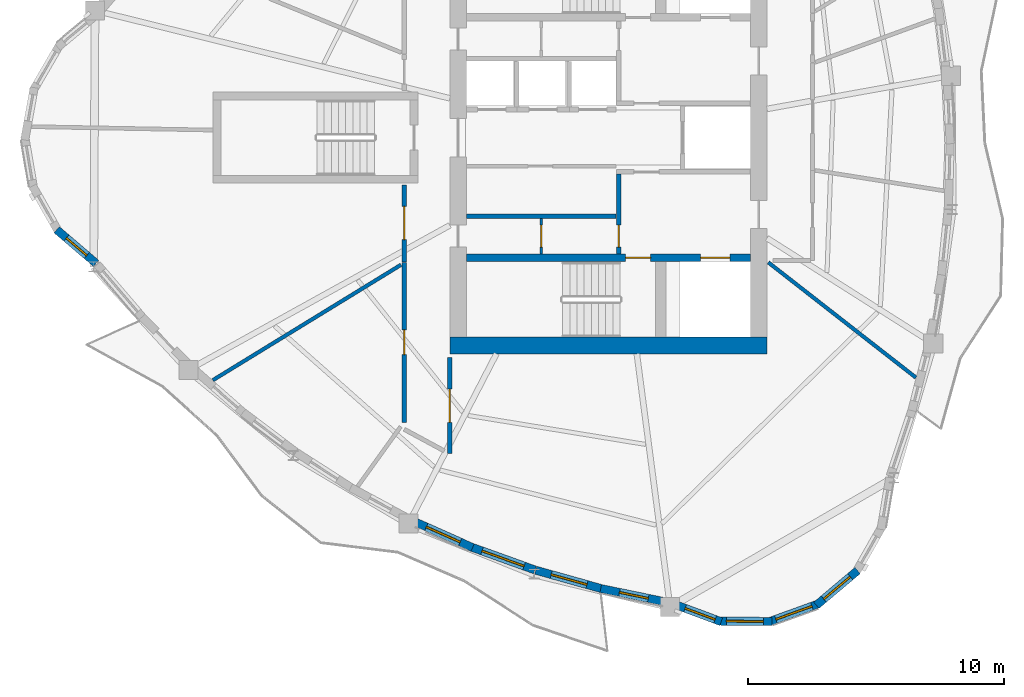
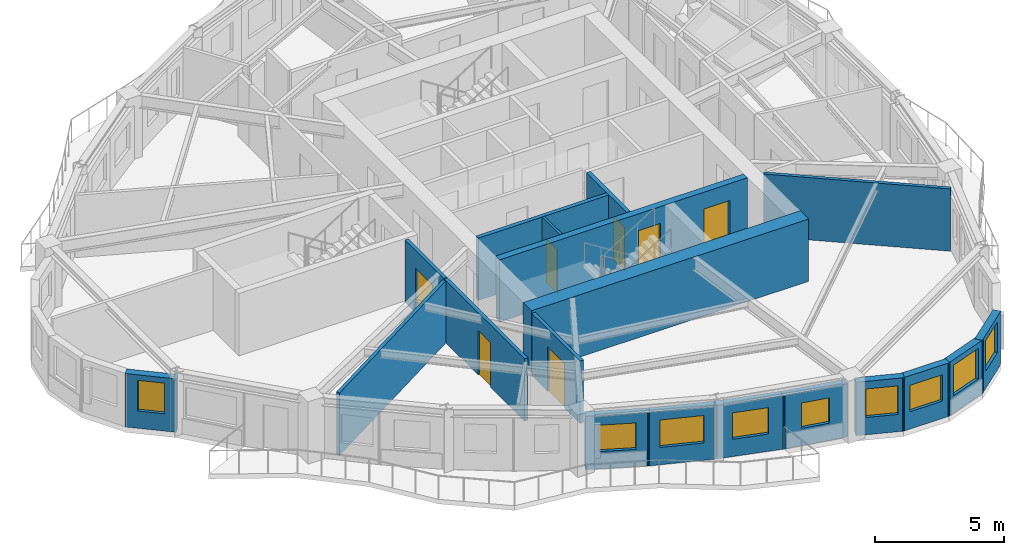
# One storey, part 3 of 12: 19 walls, 9 windows, 7 doors, 16 openings.
"""IFC4 building model written with IfcOpenShell, lengths in metres."""

from ifc_helpers import new_model, si_unit, direction, frame, frame_2d, origin, place, context, subcontext, project, spatial, rectangle, extrude, source, transform, mapped, material, layer, layer_set, type_object, element, fill, save


model = new_model("IFC4")

# Units and contexts
model_context = context("Model", 3, precision=1e-05, world=origin(), true_north=direction((0.0, 1.0)))
body_context = subcontext(model_context, "Body", "Model", "MODEL_VIEW")
ifc_project = project(units=[si_unit("LENGTHUNIT", "METRE"), si_unit("AREAUNIT", "SQUARE_METRE"), si_unit("VOLUMEUNIT", "CUBIC_METRE"), si_unit("PLANEANGLEUNIT", "RADIAN"), si_unit("MASSUNIT", "GRAM", prefix="KILO")], contexts=[model_context])

# Site, building, storey
site_placement = place(None, origin())
site = spatial("IfcSite", under=ifc_project, at=site_placement, CompositionType="ELEMENT")
building_placement = place(site_placement, origin())
building = spatial("IfcBuilding", under=site, at=building_placement, Name="Qafzar Sky-Pleat Residences", CompositionType="ELEMENT")
storey_placement = place(building_placement, frame((0.0, 0.0, 174.60009765625)))
storey = spatial("IfcBuildingStorey", under=building, at=storey_placement, Name="L52", CompositionType="ELEMENT", Elevation=174.60009765625)

# Wall, opening, door
ifc_material_1 = material(Name="Acoustic gypsum plasterboard partition", Category="gypsum")
ifc_layer_1 = layer(ifc_material_1, 0.159912109375)
ifc_layer_set_1 = layer_set([ifc_layer_1], Name="Acoustic gypsum plasterboard partition")
wall_type_1 = type_object("IfcWallType", Name="PART-COR-160", PredefinedType="PARTITIONING", material=ifc_layer_set_1)
wall_1_placement = place(storey_placement, frame((22.3701171875, 14.87109375, 0.0), z_axis=(0.0, 0.0, 1.0), x_axis=(0.0, 1.0, 0.0)))
wall_1 = element("IfcWall", 1, at=wall_1_placement, inside=storey, type_object=wall_type_1, Name="L52 Partition Wall PART-L52-PW-001", PredefinedType="PARTITIONING", context=body_context, shape_type="SweptSolid", body=[
    extrude(rectangle(XDim=6.251953125, YDim=0.159912109375, at=frame_2d((3.1259765625, 0.0))), origin(), (0.0, 0.0, 1.0), 2.949951171875),
])
opening_1_placement = place(wall_1_placement, frame((2.64990234375, 0.0, 0.0)))
opening_1 = element("IfcOpeningElement", 2, at=opening_1_placement, cuts=wall_1, Name="Opening ID-06", PredefinedType="OPENING", context=body_context, shape_type="SweptSolid", body=[
    extrude(rectangle(XDim=0.9599609375, YDim=2.10009765625, at=frame_2d((0.47998046875, 1.050048828125))), frame((0.0, 0.08984375, 0.0), z_axis=(0.0, -1.0, 0.0), x_axis=(1.0, 0.0, 0.0)), (0.0, 0.0, 1.0), 0.179931640625),
])
ifc_material_2 = material(Name="Timber-faced fire door", Category="wood")
door_type_1 = type_object("IfcDoorType", Name="DR-STD-960", OperationType="NOTDEFINED", PredefinedType="DOOR", material=ifc_material_2)
shared_shape_1 = source(origin(), body_context, "Body", "SweptSolid", [
    extrude(rectangle(XDim=0.9599609375, YDim=2.10009765625, at=frame_2d((0.47998046875, 1.050048828125))), frame((0.0, 0.02490234375, 0.0), z_axis=(0.0, -1.0, 0.0), x_axis=(1.0, 0.0, 0.0)), (0.0, 0.0, 1.0), 0.050048828125),
])
door_1_placement = place(opening_1_placement, origin())
door_1 = element("IfcDoor", 3, at=door_1_placement, inside=storey, type_object=door_type_1, Name="L52 Reading Library Door", OperationType="SINGLE_SWING_LEFT", OverallHeight=2.10009765625, OverallWidth=0.9599609375, PredefinedType="DOOR", context=body_context, shape_type="MappedRepresentation", body=[
    mapped(shared_shape_1, transform((0.0, 0.0, 0.0), x_axis=(1.0, 0.0, 0.0), y_axis=(0.0, 1.0, 0.0), z_axis=(0.0, 0.0, 1.0), scale=1.0)),
])
fill(opening_1, door_1)

wall_2_placement = place(storey_placement, frame((24.14990234375, 17.39892578125, 0.0), z_axis=(0.0, 0.0, 1.0), x_axis=(0.0, -1.0, 0.0)))
wall_2 = element("IfcWall", 4, at=wall_2_placement, inside=storey, type_object=wall_type_1, Name="L52 Partition Wall PART-L52-PW-006", PredefinedType="PARTITIONING", context=body_context, shape_type="SweptSolid", body=[
    extrude(rectangle(XDim=3.741943359375, YDim=0.159912109375, at=frame_2d((1.87109375, 0.0))), origin(), (0.0, 0.0, 1.0), 2.949951171875),
])
opening_2_placement = place(wall_2_placement, frame((1.23388671875, 0.0, 0.0)))
opening_2 = element("IfcOpeningElement", 5, at=opening_2_placement, cuts=wall_2, Name="Opening ID-05", PredefinedType="OPENING", context=body_context, shape_type="SweptSolid", body=[
    extrude(rectangle(XDim=1.300048828125, YDim=2.10009765625, at=frame_2d((0.64990234375, 1.050048828125))), frame((0.0, 0.08984375, 0.0), z_axis=(0.0, -1.0, 0.0), x_axis=(1.0, 0.0, 0.0)), (0.0, 0.0, 1.0), 0.179931640625),
])
door_type_2 = type_object("IfcDoorType", Name="DR-LNG-1300", OperationType="DOUBLE_DOOR_SINGLE_SWING", PredefinedType="DOOR", material=ifc_material_2)
shared_shape_2 = source(origin(), body_context, "Body", "SweptSolid", [
    extrude(rectangle(XDim=1.300048828125, YDim=2.10009765625, at=frame_2d((0.64990234375, 1.050048828125))), frame((0.0, 0.02490234375, 0.0), z_axis=(0.0, -1.0, 0.0), x_axis=(1.0, 0.0, 0.0)), (0.0, 0.0, 1.0), 0.050048828125),
])
door_2_placement = place(opening_2_placement, origin())
door_2 = element("IfcDoor", 6, at=door_2_placement, inside=storey, type_object=door_type_2, Name="L52 Academic Seminar Room Door", OperationType="DOUBLE_DOOR_SINGLE_SWING", OverallHeight=2.10009765625, OverallWidth=1.300048828125, PredefinedType="DOOR", context=body_context, shape_type="MappedRepresentation", body=[
    mapped(shared_shape_2, transform((0.0, 0.0, 0.0), x_axis=(1.0, 0.0, 0.0), y_axis=(0.0, 1.0, 0.0), z_axis=(0.0, 0.0, 1.0), scale=1.0)),
])
fill(opening_2, door_2)

wall_3_placement = place(storey_placement, frame((22.3701171875, 21.137939453125, 0.0), z_axis=(0.0, 0.0, 1.0), x_axis=(0.0, 1.0, 0.0)))
wall_3 = element("IfcWall", 7, at=wall_3_placement, inside=storey, type_object=wall_type_1, Name="L52 Partition Wall PART-L52-PW-009", PredefinedType="PARTITIONING", context=body_context, shape_type="SweptSolid", body=[
    extrude(rectangle(XDim=3.011962890625, YDim=0.159912109375, at=frame_2d((1.505859375, 0.0))), origin(), (0.0, 0.0, 1.0), 2.949951171875),
])
opening_3_placement = place(wall_3_placement, frame((0.87744140625, 0.0, 0.0)))
opening_3 = element("IfcOpeningElement", 8, at=opening_3_placement, cuts=wall_3, Name="Opening ID-05", PredefinedType="OPENING", context=body_context, shape_type="SweptSolid", body=[
    extrude(rectangle(XDim=1.300048828125, YDim=2.10009765625, at=frame_2d((0.64990234375, 1.050048828125))), frame((0.0, 0.08984375, 0.0), z_axis=(0.0, -1.0, 0.0), x_axis=(1.0, 0.0, 0.0)), (0.0, 0.0, 1.0), 0.179931640625),
])
door_3_placement = place(opening_3_placement, origin())
door_3 = element("IfcDoor", 9, at=door_3_placement, inside=storey, type_object=door_type_2, Name="L52 Tutorial Huddle Room Door", OperationType="DOUBLE_DOOR_SINGLE_SWING", OverallHeight=2.10009765625, OverallWidth=1.300048828125, PredefinedType="DOOR", context=body_context, shape_type="MappedRepresentation", body=[
    mapped(shared_shape_2, transform((0.0, 0.0, 0.0), x_axis=(1.0, 0.0, 0.0), y_axis=(0.0, 1.0, 0.0), z_axis=(0.0, 0.0, 1.0), scale=1.0)),
])
fill(opening_3, door_3)

ifc_material_3 = material(Name="Concrete blockwork partition", Category="masonry")
ifc_layer_2 = layer(ifc_material_3, 0.179931640625)
ifc_layer_set_2 = layer_set([ifc_layer_2], Name="Concrete blockwork partition")
wall_type_2 = type_object("IfcWallType", Name="PART-SHAFT-180", PredefinedType="PARTITIONING", material=ifc_layer_set_2)
wall_4_placement = place(storey_placement, frame((30.75, 21.4599609375, 0.0), z_axis=(0.0, 0.0, 1.0), x_axis=(0.0, 1.0, 0.0)))
wall_4 = element("IfcWall", 10, at=wall_4_placement, inside=storey, type_object=wall_type_2, Name="L52 Partition Wall PART-L52-FFL1-W", PredefinedType="PARTITIONING", context=body_context, shape_type="SweptSolid", body=[
    extrude(rectangle(XDim=3.110107421875, YDim=0.179931640625, at=frame_2d((1.55517578125, 0.0))), origin(), (0.0, 0.0, 1.0), 2.949951171875),
])
opening_4_placement = place(wall_4_placement, frame((0.260009765625, 0.0, 0.0)))
opening_4 = element("IfcOpeningElement", 11, at=opening_4_placement, cuts=wall_4, Name="Opening ID-09", PredefinedType="OPENING", context=body_context, shape_type="SweptSolid", body=[
    extrude(rectangle(XDim=0.860107421875, YDim=2.050048828125, at=frame_2d((0.43017578125, 1.02490234375))), frame((0.0, 0.10009765625, 0.0), z_axis=(0.0, -1.0, 0.0), x_axis=(1.0, 0.0, 0.0)), (0.0, 0.0, 1.0), 0.199951171875),
])
door_type_3 = type_object("IfcDoorType", Name="DR-SVC-860", OperationType="NOTDEFINED", PredefinedType="DOOR", material=ifc_material_2)
shared_shape_3 = source(origin(), body_context, "Body", "SweptSolid", [
    extrude(rectangle(XDim=0.860107421875, YDim=2.050048828125, at=frame_2d((0.43017578125, 1.02490234375))), frame((0.0, 0.02490234375, 0.0), z_axis=(0.0, -1.0, 0.0), x_axis=(1.0, 0.0, 0.0)), (0.0, 0.0, 1.0), 0.050048828125),
])
door_4_placement = place(opening_4_placement, origin())
door_4 = element("IfcDoor", 12, at=door_4_placement, inside=storey, type_object=door_type_3, Name="L52 South Core Cupboard Door", OperationType="SINGLE_SWING_RIGHT", OverallHeight=2.050048828125, OverallWidth=0.860107421875, PredefinedType="DOOR", context=body_context, shape_type="MappedRepresentation", body=[
    mapped(shared_shape_3, transform((0.0, 0.0, 0.0), x_axis=(1.0, 0.0, 0.0), y_axis=(0.0, 1.0, 0.0), z_axis=(0.0, 0.0, 1.0), scale=1.0)),
])
fill(opening_4, door_4)

# Wall
wall_5_placement = place(storey_placement, frame((24.81005859375, 22.919921875, 0.0), z_axis=(0.0, 0.0, 1.0), x_axis=(1.0, 0.0, 0.0)))
element("IfcWall", 13, at=wall_5_placement, inside=storey, type_object=wall_type_2, Name="L52 Partition Wall PART-L52-P13-S", PredefinedType="PARTITIONING", context=body_context, shape_type="SweptSolid", body=[
    extrude(rectangle(XDim=5.83984375, YDim=0.179931640625, at=frame_2d((2.919921875, 0.0))), origin(), (0.0, 0.0, 1.0), 2.949951171875),
])

# Wall, opening, door
ifc_material_4 = material(Name="Gypsum plasterboard partition", Category="gypsum")
ifc_layer_3 = layer(ifc_material_4, 0.114990234375)
ifc_layer_set_3 = layer_set([ifc_layer_3], Name="Gypsum plasterboard partition")
wall_type_3 = type_object("IfcWallType", Name="PART-SVC-115", PredefinedType="PARTITIONING", material=ifc_layer_set_3)
wall_6_placement = place(storey_placement, frame((27.72509765625, 21.4599609375, 0.0), z_axis=(0.0, 0.0, 1.0), x_axis=(0.0, 1.0, 0.0)))
wall_6 = element("IfcWall", 14, at=wall_6_placement, inside=storey, type_object=wall_type_3, Name="L52 Partition Wall PART-L52-KB-SW", PredefinedType="PARTITIONING", context=body_context, shape_type="SweptSolid", body=[
    extrude(rectangle(XDim=1.380126953125, YDim=0.114990234375, at=frame_2d((0.68994140625, 0.0))), origin(), (0.0, 0.0, 1.0), 2.949951171875),
])
opening_5_placement = place(wall_6_placement, frame((0.260009765625, 0.0, 0.0)))
opening_5 = element("IfcOpeningElement", 15, at=opening_5_placement, cuts=wall_6, Name="Opening ID-09", PredefinedType="OPENING", context=body_context, shape_type="SweptSolid", body=[
    extrude(rectangle(XDim=0.860107421875, YDim=2.050048828125, at=frame_2d((0.43017578125, 1.02490234375))), frame((0.0, 0.0673828125, 0.0), z_axis=(0.0, -1.0, 0.0), x_axis=(1.0, 0.0, 0.0)), (0.0, 0.0, 1.0), 0.135009765625),
])
door_5_placement = place(opening_5_placement, origin())
door_5 = element("IfcDoor", 16, at=door_5_placement, inside=storey, type_object=door_type_3, Name="L52 BMS Metering Cupboard Door", OperationType="SINGLE_SWING_LEFT", OverallHeight=2.050048828125, OverallWidth=0.860107421875, PredefinedType="DOOR", context=body_context, shape_type="MappedRepresentation", body=[
    mapped(shared_shape_3, transform((0.0, 0.0, 0.0), x_axis=(1.0, 0.0, 0.0), y_axis=(0.0, 1.0, 0.0), z_axis=(0.0, 0.0, 1.0), scale=1.0)),
])
fill(opening_5, door_5)

# Walls
ifc_layer_4 = layer(ifc_material_1, 0.14501953125)
ifc_layer_set_4 = layer_set([ifc_layer_4], Name="Acoustic gypsum plasterboard partition")
wall_type_4 = type_object("IfcWallType", Name="PART-UNIT-145", PredefinedType="PARTITIONING", material=ifc_layer_set_4)
wall_7_placement = place(storey_placement, frame((14.89013671875, 16.518798828125, 0.0), z_axis=(0.0, 0.0, 1.0), x_axis=(0.852461734542, 0.522789624171, 0.0)))
element("IfcWall", 17, at=wall_7_placement, inside=storey, type_object=wall_type_4, Name="L52 Partition Wall PART-L52-PW-014", PredefinedType="PARTITIONING", context=body_context, shape_type="SweptSolid", body=[
    extrude(rectangle(XDim=8.628173828125, YDim=0.14501953125, at=frame_2d((4.31396484375, 0.0))), origin(), (0.0, 0.0, 1.0), 2.949951171875),
])
wall_8_placement = place(storey_placement, frame((36.600830078125, 21.121337890625, 0.0), z_axis=(0.0, 0.0, 1.0), x_axis=(0.788361177129, -0.615212690372, 0.0)))
element("IfcWall", 18, at=wall_8_placement, inside=storey, type_object=wall_type_4, Name="L52 Partition Wall PART-L52-PW-016", PredefinedType="PARTITIONING", context=body_context, shape_type="SweptSolid", body=[
    extrude(rectangle(XDim=7.31640625, YDim=0.14501953125, at=frame_2d((3.658203125, 0.0))), origin(), (0.0, 0.0, 1.0), 2.949951171875),
])

# Wall, opening, window
ifc_material_5 = material(Name="Precast concrete C40/50 with honed Riyadh limestone", Category="concrete")
ifc_layer_5 = layer(ifc_material_5, 0.320068359375)
ifc_layer_set_5 = layer_set([ifc_layer_5], Name="Precast concrete C40/50 with honed Riyadh limestone")
wall_type_5 = type_object("IfcWallType", Name="WALL-EXT-320", PredefinedType="SOLIDWALL", material=ifc_layer_set_5)
wall_9_placement = place(storey_placement, frame((8.785400390625, 22.3984375, 0.0), z_axis=(0.0, 0.0, 1.0), x_axis=(0.760269373804, -0.649607942728, 0.0)))
wall_9 = element("IfcWall", 19, at=wall_9_placement, inside=storey, type_object=wall_type_5, Name="L52 Limestone Facade Wall 6", PredefinedType="SOLIDWALL", context=body_context, shape_type="SweptSolid", body=[
    extrude(rectangle(XDim=2.023193359375, YDim=0.320068359375, at=frame_2d((1.01171875, 0.0))), origin(), (0.0, 0.0, 1.0), 2.52978515625),
])
opening_6_placement = place(wall_9_placement, frame((0.49658203125, 0.0, 0.820068359375)))
opening_6 = element("IfcOpeningElement", 20, at=opening_6_placement, cuts=wall_9, Name="Opening WN-06", PredefinedType="OPENING", context=body_context, shape_type="SweptSolid", body=[
    extrude(rectangle(XDim=1.050048828125, YDim=1.449951171875, at=frame_2d((0.52490234375, 0.72509765625))), frame((0.0, 0.169921875, 0.0), z_axis=(0.0, -1.0, 0.0), x_axis=(1.0, 0.0, 0.0)), (0.0, 0.0, 1.0), 0.340087890625),
])
ifc_material_6 = material(Name="Solar-control low-E glass in bronze aluminium frame", Category="glass")
window_type_1 = type_object("IfcWindowType", Name="WIN-06", PartitioningType="SINGLE_PANEL", PredefinedType="WINDOW", material=ifc_material_6)
shared_shape_4 = source(origin(), body_context, "Body", "SweptSolid", [
    extrude(rectangle(XDim=1.050048828125, YDim=1.449951171875, at=frame_2d((0.52490234375, 0.72509765625))), frame((0.0, 0.030029296875, 0.0), z_axis=(0.0, -1.0, 0.0), x_axis=(1.0, 0.0, 0.0)), (0.0, 0.0, 1.0), 0.06005859375),
])
window_1_placement = place(opening_6_placement, origin())
window_1 = element("IfcWindow", 21, at=window_1_placement, inside=storey, type_object=window_type_1, Name="L52 Punched Facade Window 06", OverallHeight=1.449951171875, OverallWidth=1.050048828125, PartitioningType="SINGLE_PANEL", PredefinedType="WINDOW", context=body_context, shape_type="MappedRepresentation", body=[
    mapped(shared_shape_4, transform((0.0, 0.0, 0.0), x_axis=(1.0, 0.0, 0.0), y_axis=(0.0, 1.0, 0.0), z_axis=(0.0, 0.0, 1.0), scale=1.0)),
])
fill(opening_6, window_1)

wall_10_placement = place(storey_placement, frame((22.754150390625, 10.994384765625, 0.0), z_axis=(0.0, 0.0, 1.0), x_axis=(0.913187742102, -0.407539136372, 0.0)))
wall_10 = element("IfcWall", 22, at=wall_10_placement, inside=storey, type_object=wall_type_5, Name="L52 Limestone Facade Wall 13", PredefinedType="SOLIDWALL", context=body_context, shape_type="SweptSolid", body=[
    extrude(rectangle(XDim=2.505859375, YDim=0.320068359375, at=frame_2d((1.2529296875, 0.0))), origin(), (0.0, 0.0, 1.0), 2.52978515625),
])
opening_7_placement = place(wall_10_placement, frame((0.52294921875, 0.0, 0.820068359375)))
opening_7 = element("IfcOpeningElement", 23, at=opening_7_placement, cuts=wall_10, Name="Opening WN-15", PredefinedType="OPENING", context=body_context, shape_type="SweptSolid", body=[
    extrude(rectangle(XDim=1.449951171875, YDim=1.25, at=frame_2d((0.72509765625, 0.625))), frame((0.0, 0.169921875, 0.0), z_axis=(0.0, -1.0, 0.0), x_axis=(1.0, 0.0, 0.0)), (0.0, 0.0, 1.0), 0.340087890625),
])
window_type_2 = type_object("IfcWindowType", Name="WIN-15", PartitioningType="SINGLE_PANEL", PredefinedType="WINDOW", material=ifc_material_6)
shared_shape_5 = source(origin(), body_context, "Body", "SweptSolid", [
    extrude(rectangle(XDim=1.449951171875, YDim=1.25, at=frame_2d((0.72509765625, 0.625))), frame((0.0, 0.030029296875, 0.0), z_axis=(0.0, -1.0, 0.0), x_axis=(1.0, 0.0, 0.0)), (0.0, 0.0, 1.0), 0.06005859375),
])
window_2_placement = place(opening_7_placement, origin())
window_2 = element("IfcWindow", 24, at=window_2_placement, inside=storey, type_object=window_type_2, Name="L52 Punched Facade Window 13", OverallHeight=1.25, OverallWidth=1.449951171875, PartitioningType="SINGLE_PANEL", PredefinedType="WINDOW", context=body_context, shape_type="MappedRepresentation", body=[
    mapped(shared_shape_5, transform((0.0, 0.0, 0.0), x_axis=(1.0, 0.0, 0.0), y_axis=(0.0, 1.0, 0.0), z_axis=(0.0, 0.0, 1.0), scale=1.0)),
])
fill(opening_7, window_2)

wall_11_placement = place(storey_placement, frame((24.9609375, 10.005859375, 0.0), z_axis=(0.0, 0.0, 1.0), x_axis=(0.940902502747, -0.338677546236, 0.0)))
wall_11 = element("IfcWall", 25, at=wall_11_placement, inside=storey, type_object=wall_type_5, Name="L52 Limestone Facade Wall 14", PredefinedType="SOLIDWALL", context=body_context, shape_type="SweptSolid", body=[
    extrude(rectangle(XDim=2.680908203125, YDim=0.320068359375, at=frame_2d((1.34033203125, 0.0))), origin(), (0.0, 0.0, 1.0), 2.52978515625),
])
opening_8_placement = place(wall_11_placement, frame((0.475341796875, 0.0, 0.820068359375)))
opening_8 = element("IfcOpeningElement", 26, at=opening_8_placement, cuts=wall_11, Name="Opening WN-14", PredefinedType="OPENING", context=body_context, shape_type="SweptSolid", body=[
    extrude(rectangle(XDim=1.75, YDim=1.300048828125, at=frame_2d((0.875, 0.64990234375))), frame((0.0, 0.169921875, 0.0), z_axis=(0.0, -1.0, 0.0), x_axis=(1.0, 0.0, 0.0)), (0.0, 0.0, 1.0), 0.340087890625),
])
window_type_3 = type_object("IfcWindowType", Name="WIN-14", PartitioningType="DOUBLE_PANEL_VERTICAL", PredefinedType="WINDOW", material=ifc_material_6)
shared_shape_6 = source(origin(), body_context, "Body", "SweptSolid", [
    extrude(rectangle(XDim=1.75, YDim=1.300048828125, at=frame_2d((0.875, 0.64990234375))), frame((0.0, 0.030029296875, 0.0), z_axis=(0.0, -1.0, 0.0), x_axis=(1.0, 0.0, 0.0)), (0.0, 0.0, 1.0), 0.06005859375),
])
window_3_placement = place(opening_8_placement, origin())
window_3 = element("IfcWindow", 27, at=window_3_placement, inside=storey, type_object=window_type_3, Name="L52 Punched Facade Window 14", OverallHeight=1.300048828125, OverallWidth=1.75, PartitioningType="SINGLE_PANEL", PredefinedType="WINDOW", context=body_context, shape_type="MappedRepresentation", body=[
    mapped(shared_shape_6, transform((0.0, 0.0, 0.0), x_axis=(1.0, 0.0, 0.0), y_axis=(0.0, 1.0, 0.0), z_axis=(0.0, 0.0, 1.0), scale=1.0)),
])
fill(opening_8, window_3)

wall_12_placement = place(storey_placement, frame((27.510498046875, 9.08935546875, 0.0), z_axis=(0.0, 0.0, 1.0), x_axis=(0.962851346879, -0.270032005164, 0.0)))
wall_12 = element("IfcWall", 28, at=wall_12_placement, inside=storey, type_object=wall_type_5, Name="L52 Limestone Facade Wall 15", PredefinedType="SOLIDWALL", context=body_context, shape_type="SweptSolid", body=[
    extrude(rectangle(XDim=2.72509765625, YDim=0.320068359375, at=frame_2d((1.362548828125, 0.0))), origin(), (0.0, 0.0, 1.0), 2.52978515625),
])
opening_9_placement = place(wall_12_placement, frame((0.62744140625, 0.0, 0.820068359375)))
opening_9 = element("IfcOpeningElement", 29, at=opening_9_placement, cuts=wall_12, Name="Opening WN-15", PredefinedType="OPENING", context=body_context, shape_type="SweptSolid", body=[
    extrude(rectangle(XDim=1.449951171875, YDim=1.25, at=frame_2d((0.72509765625, 0.625))), frame((0.0, 0.169921875, 0.0), z_axis=(0.0, -1.0, 0.0), x_axis=(1.0, 0.0, 0.0)), (0.0, 0.0, 1.0), 0.340087890625),
])
window_4_placement = place(opening_9_placement, origin())
window_4 = element("IfcWindow", 30, at=window_4_placement, inside=storey, type_object=window_type_2, Name="L52 Punched Facade Window 15", OverallHeight=1.25, OverallWidth=1.449951171875, PartitioningType="SINGLE_PANEL", PredefinedType="WINDOW", context=body_context, shape_type="MappedRepresentation", body=[
    mapped(shared_shape_5, transform((0.0, 0.0, 0.0), x_axis=(1.0, 0.0, 0.0), y_axis=(0.0, 1.0, 0.0), z_axis=(0.0, 0.0, 1.0), scale=1.0)),
])
fill(opening_9, window_4)

wall_13_placement = place(storey_placement, frame((30.049560546875, 8.374267578125, 0.0), z_axis=(0.0, 0.0, 1.0), x_axis=(0.979318634508, -0.202324027505, 0.0)))
wall_13 = element("IfcWall", 31, at=wall_13_placement, inside=storey, type_object=wall_type_5, Name="L52 Limestone Facade Wall 16", PredefinedType="SOLIDWALL", context=body_context, shape_type="SweptSolid", body=[
    extrude(rectangle(XDim=2.6376953125, YDim=0.320068359375, at=frame_2d((1.31884765625, 0.0))), origin(), (0.0, 0.0, 1.0), 2.52978515625),
])
opening_10_placement = place(wall_13_placement, frame((0.748779296875, 0.0, 0.820068359375)))
opening_10 = element("IfcOpeningElement", 32, at=opening_10_placement, cuts=wall_13, Name="Opening WN-16", PredefinedType="OPENING", context=body_context, shape_type="SweptSolid", body=[
    extrude(rectangle(XDim=1.14990234375, YDim=1.199951171875, at=frame_2d((0.574951171875, 0.60009765625))), frame((0.0, 0.169921875, 0.0), z_axis=(0.0, -1.0, 0.0), x_axis=(1.0, 0.0, 0.0)), (0.0, 0.0, 1.0), 0.340087890625),
])
window_type_4 = type_object("IfcWindowType", Name="WIN-16", PartitioningType="SINGLE_PANEL", PredefinedType="WINDOW", material=ifc_material_6)
shared_shape_7 = source(origin(), body_context, "Body", "SweptSolid", [
    extrude(rectangle(XDim=1.14990234375, YDim=1.199951171875, at=frame_2d((0.574951171875, 0.60009765625))), frame((0.0, 0.030029296875, 0.0), z_axis=(0.0, -1.0, 0.0), x_axis=(1.0, 0.0, 0.0)), (0.0, 0.0, 1.0), 0.06005859375),
])
window_5_placement = place(opening_10_placement, origin())
window_5 = element("IfcWindow", 33, at=window_5_placement, inside=storey, type_object=window_type_4, Name="L52 Punched Facade Window 16", OverallHeight=1.199951171875, OverallWidth=1.14990234375, PartitioningType="SINGLE_PANEL", PredefinedType="WINDOW", context=body_context, shape_type="MappedRepresentation", body=[
    mapped(shared_shape_7, transform((0.0, 0.0, 0.0), x_axis=(1.0, 0.0, 0.0), y_axis=(0.0, 1.0, 0.0), z_axis=(0.0, 0.0, 1.0), scale=1.0)),
])
fill(opening_10, window_5)

wall_14_placement = place(storey_placement, frame((32.972412109375, 7.74267578125, 0.0), z_axis=(0.0, 0.0, 1.0), x_axis=(0.93690697627, -0.349578771977, 0.0)))
wall_14 = element("IfcWall", 34, at=wall_14_placement, inside=storey, type_object=wall_type_5, Name="L52 Limestone Facade Wall 17", PredefinedType="SOLIDWALL", context=body_context, shape_type="SweptSolid", body=[
    extrude(rectangle(XDim=1.906005859375, YDim=0.320068359375, at=frame_2d((0.953125, 0.0))), origin(), (0.0, 0.0, 1.0), 2.52978515625),
])
opening_11_placement = place(wall_14_placement, frame((0.40283203125, 0.0, 0.820068359375)))
opening_11 = element("IfcOpeningElement", 35, at=opening_11_placement, cuts=wall_14, Name="Opening WN-11", PredefinedType="OPENING", context=body_context, shape_type="SweptSolid", body=[
    extrude(rectangle(XDim=1.25, YDim=1.35009765625, at=frame_2d((0.625, 0.675048828125))), frame((0.0, 0.169921875, 0.0), z_axis=(0.0, -1.0, 0.0), x_axis=(1.0, 0.0, 0.0)), (0.0, 0.0, 1.0), 0.340087890625),
])
window_type_5 = type_object("IfcWindowType", Name="WIN-11", PartitioningType="SINGLE_PANEL", PredefinedType="WINDOW", material=ifc_material_6)
shared_shape_8 = source(origin(), body_context, "Body", "SweptSolid", [
    extrude(rectangle(XDim=1.25, YDim=1.35009765625, at=frame_2d((0.625, 0.675048828125))), frame((0.0, 0.030029296875, 0.0), z_axis=(0.0, -1.0, 0.0), x_axis=(1.0, 0.0, 0.0)), (0.0, 0.0, 1.0), 0.06005859375),
])
window_6_placement = place(opening_11_placement, origin())
window_6 = element("IfcWindow", 36, at=window_6_placement, inside=storey, type_object=window_type_5, Name="L52 Punched Facade Window 17", OverallHeight=1.35009765625, OverallWidth=1.25, PartitioningType="SINGLE_PANEL", PredefinedType="WINDOW", context=body_context, shape_type="MappedRepresentation", body=[
    mapped(shared_shape_8, transform((0.0, 0.0, 0.0), x_axis=(1.0, 0.0, 0.0), y_axis=(0.0, 1.0, 0.0), z_axis=(0.0, 0.0, 1.0), scale=1.0)),
])
fill(opening_11, window_6)

wall_15_placement = place(storey_placement, frame((34.62939453125, 7.099853515625, 0.0), z_axis=(0.0, 0.0, 1.0), x_axis=(0.9999881768, -0.004862742089, 0.0)))
wall_15 = element("IfcWall", 37, at=wall_15_placement, inside=storey, type_object=wall_type_5, Name="L52 Limestone Facade Wall 18", PredefinedType="SOLIDWALL", context=body_context, shape_type="SweptSolid", body=[
    extrude(rectangle(XDim=2.108642578125, YDim=0.320068359375, at=frame_2d((1.05419921875, 0.0))), origin(), (0.0, 0.0, 1.0), 2.52978515625),
])
opening_12_placement = place(wall_15_placement, frame((0.329345703125, 0.0, 0.820068359375)))
opening_12 = element("IfcOpeningElement", 38, at=opening_12_placement, cuts=wall_15, Name="Opening WN-15", PredefinedType="OPENING", context=body_context, shape_type="SweptSolid", body=[
    extrude(rectangle(XDim=1.449951171875, YDim=1.25, at=frame_2d((0.72509765625, 0.625))), frame((0.0, 0.169921875, 0.0), z_axis=(0.0, -1.0, 0.0), x_axis=(1.0, 0.0, 0.0)), (0.0, 0.0, 1.0), 0.340087890625),
])
window_7_placement = place(opening_12_placement, origin())
window_7 = element("IfcWindow", 39, at=window_7_placement, inside=storey, type_object=window_type_2, Name="L52 Punched Facade Window 18", OverallHeight=1.25, OverallWidth=1.449951171875, PartitioningType="SINGLE_PANEL", PredefinedType="WINDOW", context=body_context, shape_type="MappedRepresentation", body=[
    mapped(shared_shape_5, transform((0.0, 0.0, 0.0), x_axis=(1.0, 0.0, 0.0), y_axis=(0.0, 1.0, 0.0), z_axis=(0.0, 0.0, 1.0), scale=1.0)),
])
fill(opening_12, window_7)

wall_16_placement = place(storey_placement, frame((36.60888671875, 7.0673828125, 0.0), z_axis=(0.0, 0.0, 1.0), x_axis=(0.940255626786, 0.340469317702, 0.0)))
wall_16 = element("IfcWall", 40, at=wall_16_placement, inside=storey, type_object=wall_type_5, Name="L52 Limestone Facade Wall 19", PredefinedType="SOLIDWALL", context=body_context, shape_type="SweptSolid", body=[
    extrude(rectangle(XDim=2.10888671875, YDim=0.320068359375, at=frame_2d((1.054443359375, 0.0))), origin(), (0.0, 0.0, 1.0), 2.52978515625),
])
opening_13_placement = place(wall_16_placement, frame((0.304443359375, 0.0, 0.820068359375)))
opening_13 = element("IfcOpeningElement", 41, at=opening_13_placement, cuts=wall_16, Name="Opening WN-03", PredefinedType="OPENING", context=body_context, shape_type="SweptSolid", body=[
    extrude(rectangle(XDim=1.5, YDim=1.449951171875, at=frame_2d((0.75, 0.72509765625))), frame((0.0, 0.169921875, 0.0), z_axis=(0.0, -1.0, 0.0), x_axis=(1.0, 0.0, 0.0)), (0.0, 0.0, 1.0), 0.340087890625),
])
window_type_6 = type_object("IfcWindowType", Name="WIN-03", PartitioningType="DOUBLE_PANEL_VERTICAL", PredefinedType="WINDOW", material=ifc_material_6)
shared_shape_9 = source(origin(), body_context, "Body", "SweptSolid", [
    extrude(rectangle(XDim=1.5, YDim=1.449951171875, at=frame_2d((0.75, 0.72509765625))), frame((0.0, 0.030029296875, 0.0), z_axis=(0.0, -1.0, 0.0), x_axis=(1.0, 0.0, 0.0)), (0.0, 0.0, 1.0), 0.06005859375),
])
window_8_placement = place(opening_13_placement, origin())
window_8 = element("IfcWindow", 42, at=window_8_placement, inside=storey, type_object=window_type_6, Name="L52 Punched Facade Window 19", OverallHeight=1.449951171875, OverallWidth=1.5, PartitioningType="SINGLE_PANEL", PredefinedType="WINDOW", context=body_context, shape_type="MappedRepresentation", body=[
    mapped(shared_shape_9, transform((0.0, 0.0, 0.0), x_axis=(1.0, 0.0, 0.0), y_axis=(0.0, 1.0, 0.0), z_axis=(0.0, 0.0, 1.0), scale=1.0)),
])
fill(opening_13, window_8)

wall_17_placement = place(storey_placement, frame((38.478515625, 7.719970703125, 0.0), z_axis=(0.0, 0.0, 1.0), x_axis=(0.76506129474, 0.643957463883, 0.0)))
wall_17 = element("IfcWall", 43, at=wall_17_placement, inside=storey, type_object=wall_type_5, Name="L52 Limestone Facade Wall 20", PredefinedType="SOLIDWALL", context=body_context, shape_type="SweptSolid", body=[
    extrude(rectangle(XDim=2.108642578125, YDim=0.320068359375, at=frame_2d((1.05419921875, 0.0))), origin(), (0.0, 0.0, 1.0), 2.52978515625),
])
opening_14_placement = place(wall_17_placement, frame((0.37939453125, 0.0, 0.820068359375)))
opening_14 = element("IfcOpeningElement", 44, at=opening_14_placement, cuts=wall_17, Name="Opening WN-04", PredefinedType="OPENING", context=body_context, shape_type="SweptSolid", body=[
    extrude(rectangle(XDim=1.35009765625, YDim=1.449951171875, at=frame_2d((0.675048828125, 0.72509765625))), frame((0.0, 0.169921875, 0.0), z_axis=(0.0, -1.0, 0.0), x_axis=(1.0, 0.0, 0.0)), (0.0, 0.0, 1.0), 0.340087890625),
])
window_type_7 = type_object("IfcWindowType", Name="WIN-04", PartitioningType="SINGLE_PANEL", PredefinedType="WINDOW", material=ifc_material_6)
shared_shape_10 = source(origin(), body_context, "Body", "SweptSolid", [
    extrude(rectangle(XDim=1.35009765625, YDim=1.449951171875, at=frame_2d((0.675048828125, 0.72509765625))), frame((0.0, 0.030029296875, 0.0), z_axis=(0.0, -1.0, 0.0), x_axis=(1.0, 0.0, 0.0)), (0.0, 0.0, 1.0), 0.06005859375),
])
window_9_placement = place(opening_14_placement, origin())
window_9 = element("IfcWindow", 45, at=window_9_placement, inside=storey, type_object=window_type_7, Name="L52 Punched Facade Window 20", OverallHeight=1.449951171875, OverallWidth=1.35009765625, PartitioningType="SINGLE_PANEL", PredefinedType="WINDOW", context=body_context, shape_type="MappedRepresentation", body=[
    mapped(shared_shape_10, transform((0.0, 0.0, 0.0), x_axis=(1.0, 0.0, 0.0), y_axis=(0.0, 1.0, 0.0), z_axis=(0.0, 0.0, 1.0), scale=1.0)),
])
fill(opening_14, window_9)

# Wall, openings, doors
ifc_material_7 = material(Name="Concrete C60/75", Category="concrete")
ifc_layer_6 = layer(ifc_material_7, 0.300048828125)
ifc_layer_set_6 = layer_set([ifc_layer_6], Name="Concrete C60/75")
wall_type_6 = type_object("IfcWallType", Name="WALL-SHEAR-300", PredefinedType="SHEAR", material=ifc_layer_set_6)
wall_18_placement = place(storey_placement, frame((24.800048828125, 21.300048828125, 0.0), z_axis=(0.0, 0.0, 1.0), x_axis=(1.0, 0.0, 0.0)))
wall_18 = element("IfcWall", 46, at=wall_18_placement, inside=storey, type_object=wall_type_6, Name="L52 Stair ST1 and FF1 Shaft North Wall", PredefinedType="SHEAR", context=body_context, shape_type="SweptSolid", body=[
    extrude(rectangle(XDim=11.099853515625, YDim=0.300048828125, at=frame_2d((5.5498046875, 0.0))), origin(), (0.0, 0.0, 1.0), 2.949951171875),
])
opening_15_placement = place(wall_18_placement, frame((6.219970703125, 0.0, 0.0)))
opening_15 = element("IfcOpeningElement", 47, at=opening_15_placement, cuts=wall_18, Name="Opening ID-01", PredefinedType="OPENING", context=body_context, shape_type="SweptSolid", body=[
    extrude(rectangle(XDim=0.97998046875, YDim=2.14990234375, at=frame_2d((0.489990234375, 1.074951171875))), frame((0.0, 0.16015625, 0.0), z_axis=(0.0, -1.0, 0.0), x_axis=(1.0, 0.0, 0.0)), (0.0, 0.0, 1.0), 0.320068359375),
])
opening_16_placement = place(wall_18_placement, frame((9.14990234375, 0.0, 0.0)))
opening_16 = element("IfcOpeningElement", 48, at=opening_16_placement, cuts=wall_18, Name="Opening LD-02", PredefinedType="OPENING", context=body_context, shape_type="SweptSolid", body=[
    extrude(rectangle(XDim=1.14990234375, YDim=2.14990234375, at=frame_2d((0.574951171875, 1.074951171875))), frame((0.0, 0.16015625, 0.0), z_axis=(0.0, -1.0, 0.0), x_axis=(1.0, 0.0, 0.0)), (0.0, 0.0, 1.0), 0.320068359375),
])
door_type_4 = type_object("IfcDoorType", Name="DR-STAIR-980", OperationType="NOTDEFINED", PredefinedType="DOOR", material=ifc_material_2)
shared_shape_11 = source(origin(), body_context, "Body", "SweptSolid", [
    extrude(rectangle(XDim=0.97998046875, YDim=2.14990234375, at=frame_2d((0.489990234375, 1.074951171875))), frame((0.0, 0.02490234375, 0.0), z_axis=(0.0, -1.0, 0.0), x_axis=(1.0, 0.0, 0.0)), (0.0, 0.0, 1.0), 0.050048828125),
])
door_6_placement = place(opening_15_placement, origin())
door_6 = element("IfcDoor", 49, at=door_6_placement, inside=storey, type_object=door_type_4, Name="L52 Stair ST1 Fire Door", OperationType="SINGLE_SWING_LEFT", OverallHeight=2.14990234375, OverallWidth=0.97998046875, PredefinedType="DOOR", context=body_context, shape_type="MappedRepresentation", body=[
    mapped(shared_shape_11, transform((0.0, 0.0, 0.0), x_axis=(1.0, 0.0, 0.0), y_axis=(0.0, 1.0, 0.0), z_axis=(0.0, 0.0, 1.0), scale=1.0)),
])
fill(opening_15, door_6)
ifc_material_8 = material(Name="Stainless steel sliding landing door", Category="steel")
door_type_5 = type_object("IfcDoorType", Name="DR-LIFT-FF", OperationType="DOUBLE_DOOR_SLIDING", PredefinedType="DOOR", material=ifc_material_8)
shared_shape_12 = source(origin(), body_context, "Body", "SweptSolid", [
    extrude(rectangle(XDim=1.14990234375, YDim=2.14990234375, at=frame_2d((0.574951171875, 1.074951171875))), frame((0.0, 0.02490234375, 0.0), z_axis=(0.0, -1.0, 0.0), x_axis=(1.0, 0.0, 0.0)), (0.0, 0.0, 1.0), 0.050048828125),
])
door_7_placement = place(opening_16_placement, origin())
door_7 = element("IfcDoor", 50, at=door_7_placement, inside=storey, type_object=door_type_5, Name="L52 Firefighting Lift FF1 Landing Door", OperationType="DOUBLE_DOOR_SLIDING", OverallHeight=2.14990234375, OverallWidth=1.14990234375, PredefinedType="DOOR", context=body_context, shape_type="MappedRepresentation", body=[
    mapped(shared_shape_12, transform((0.0, 0.0, 0.0), x_axis=(1.0, 0.0, 0.0), y_axis=(0.0, 1.0, 0.0), z_axis=(0.0, 0.0, 1.0), scale=1.0)),
])
fill(opening_16, door_7)

# Wall
ifc_layer_7 = layer(ifc_material_7, 0.64990234375)
ifc_layer_set_7 = layer_set([ifc_layer_7], Name="Concrete C60/75")
wall_type_7 = type_object("IfcWallType", Name="WALL-SHEAR-650", PredefinedType="SHEAR", material=ifc_layer_set_7)
wall_19_placement = place(storey_placement, frame((24.14990234375, 17.875, 0.0), z_axis=(0.0, 0.0, 1.0), x_axis=(1.0, 0.0, 0.0)))
element("IfcWall", 51, at=wall_19_placement, inside=storey, type_object=wall_type_7, Name="L52 CORE wall S", PredefinedType="SHEAR", context=body_context, shape_type="SweptSolid", body=[
    extrude(rectangle(XDim=12.400146484375, YDim=0.64990234375, at=frame_2d((6.2001953125, 0.0))), origin(), (0.0, 0.0, 1.0), 2.949951171875),
])

save(model, "model.ifc")
